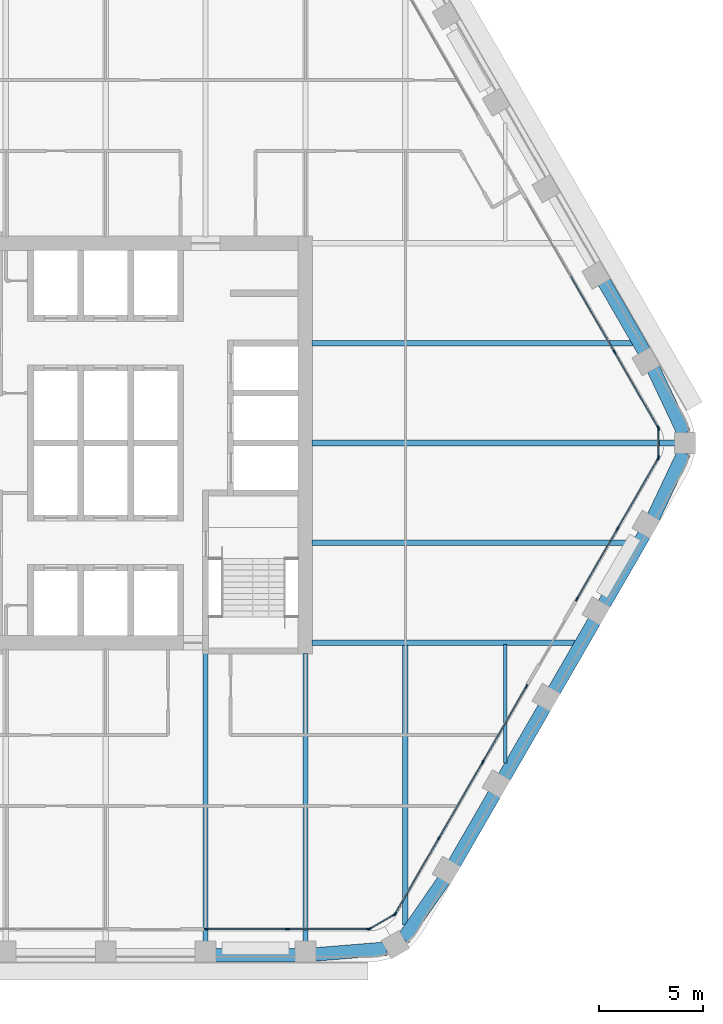
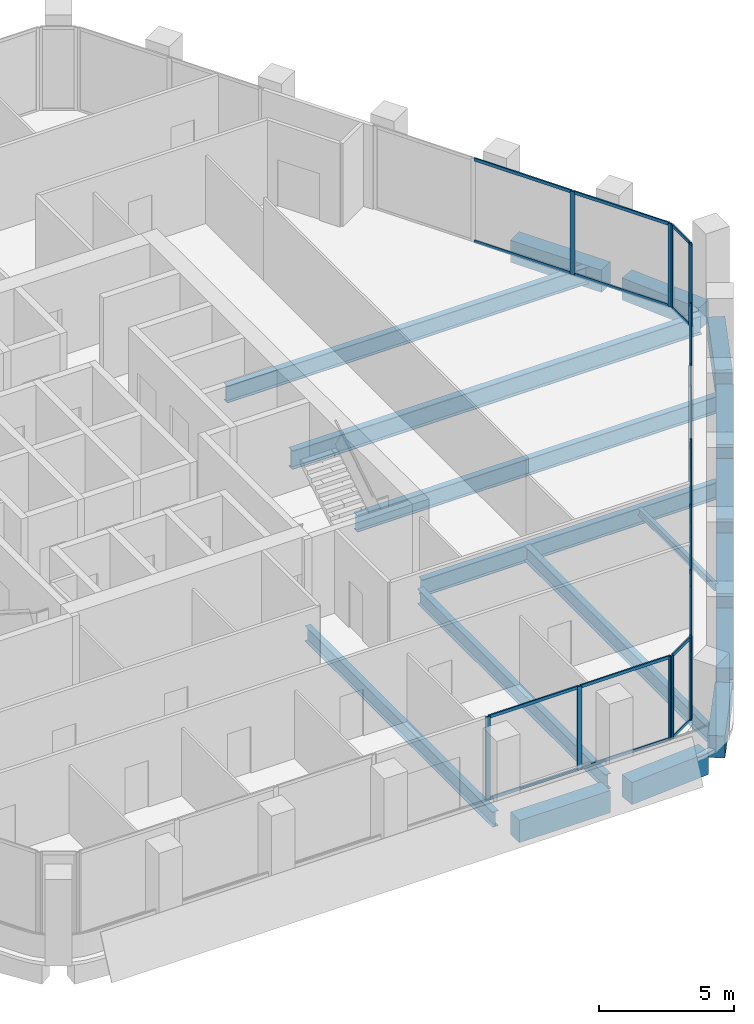
# One storey, part 4 of 15: 38 members, 18 beams, 6 elements without a shape of their own.
"""IFC4 building model written with IfcOpenShell, lengths in metres."""

import ifcopenshell
import ifcopenshell.guid

model = None  # the IFC model being written
_history = None  # IfcOwnerHistory: only IFC2X3 demands one
_inside = {}  # id of a spatial element -> (the spatial element, [elements in it])
_under = {}  # id of a project, library or spatial element -> (it, [spatial elements below it])
_declared = {}  # id of a project -> (the project, [libraries it declares])
_typed = {}  # id of a type object -> (the type object, [elements of that type])
_made_of = {}  # id of a material, layer set ... -> (it, [elements and type objects made of it])


def new_model(schema):
    """Start an empty IFC model of exactly this schema.

    Asked for "IFC4X3", IfcOpenShell would pick the latest addendum, in which some entities
    have other attributes; the version numbers below select the first issue.
    IFC2X3 requires an IfcOwnerHistory on every rooted entity: one is made here for all.
    """
    global model, _history
    if schema == "IFC4X3":
        model = ifcopenshell.file(schema_version=(4, 3, 0, 0))
    else:
        model = ifcopenshell.file(schema=schema)
    _inside.clear()
    _under.clear()
    _declared.clear()
    _typed.clear()
    _made_of.clear()
    _history = None
    if model.schema == "IFC2X3":
        org = make("IfcOrganization", Name="unknown")
        user = make(
            "IfcPersonAndOrganization",
            ThePerson=make("IfcPerson", FamilyName="unknown"),
            TheOrganization=org,
        )
        app = make(
            "IfcApplication",
            ApplicationDeveloper=org,
            Version="unknown",
            ApplicationFullName="unknown",
            ApplicationIdentifier="unknown",
        )
        _history = make(
            "IfcOwnerHistory",
            OwningUser=user,
            OwningApplication=app,
            ChangeAction="ADDED",
            CreationDate=0,
        )
    return model


def make(cls, **values):
    """One entity of the class cls with the attributes given. An attribute that is None is left unset."""
    return model.create_entity(
        cls, **{name: value for name, value in values.items() if value is not None}
    )


def rooted(cls, **values):
    """An entity with a GlobalId (a new one), such as an element, a storey or a relation."""
    return make(cls, GlobalId=ifcopenshell.guid.new(), OwnerHistory=_history, **values)


def si_unit(unit_type, name, prefix=None):
    """IfcSIUnit, for example si_unit("LENGTHUNIT", "METRE", prefix="MILLI")."""
    return make("IfcSIUnit", UnitType=unit_type, Prefix=prefix, Name=name)


def assignment(units):
    """IfcUnitAssignment: the units of a project."""
    return None if units is None else make("IfcUnitAssignment", Units=units)


def point(xyz):
    """IfcCartesianPoint."""
    return None if xyz is None else make("IfcCartesianPoint", Coordinates=xyz)


def direction(xyz):
    """IfcDirection."""
    return None if xyz is None else make("IfcDirection", DirectionRatios=xyz)


def frame(location, z_axis=None, x_axis=None):
    """IfcAxis2Placement3D, a coordinate frame: its origin and axes. An axis left out is left unset."""
    return make(
        "IfcAxis2Placement3D",
        Location=point(location),
        Axis=direction(z_axis),
        RefDirection=direction(x_axis),
    )


def frame_2d(location, x_axis=None):
    """IfcAxis2Placement2D, a coordinate frame in the plane: its origin and x axis."""
    return make(
        "IfcAxis2Placement2D", Location=point(location), RefDirection=direction(x_axis)
    )


def origin():
    """The frame at (0, 0, 0) with its axes left unset."""
    return frame((0.0, 0.0, 0.0))


def origin_2d():
    """The frame at (0, 0) in the plane with its x axis left unset."""
    return frame_2d((0.0, 0.0))


def place(relative_to, where):
    """IfcLocalPlacement: puts the frame where relative to a parent placement (None: the world)."""
    return make(
        "IfcLocalPlacement", PlacementRelTo=relative_to, RelativePlacement=where
    )


def context(
    kind, dimensions, precision=None, world=None, true_north=None, identifier=None
):
    """IfcGeometricRepresentationContext, for example the 3D "Model" context."""
    return make(
        "IfcGeometricRepresentationContext",
        ContextIdentifier=identifier,
        ContextType=kind,
        CoordinateSpaceDimension=dimensions,
        Precision=precision,
        WorldCoordinateSystem=world,
        TrueNorth=true_north,
    )


def subcontext(parent, identifier, kind, view, scale=None):
    """IfcGeometricRepresentationSubContext, for example "Body" below "Model"."""
    return make(
        "IfcGeometricRepresentationSubContext",
        ContextIdentifier=identifier,
        ContextType=kind,
        ParentContext=parent,
        TargetScale=scale,
        TargetView=view,
    )


def project(units=None, contexts=None):
    """IfcProject with its units and contexts."""
    return rooted(
        "IfcProject",
        Name="project",
        RepresentationContexts=contexts,
        UnitsInContext=assignment(units),
    )


def spatial(cls, under=None, at=None, **own):
    """A site, building, storey or space (cls), placed at a placement, below another one or the project."""
    s = rooted(cls, ObjectPlacement=at, **own)
    if under is not None:
        _under.setdefault(under.id(), (under, []))[1].append(s)
    return s


def profile(cls, at=None, kind="AREA", **sizes):
    """A parametric profile (cls). Its sizes go by their IFC names, for example OverallWidth=200.0."""
    return make(cls, ProfileType=kind, Position=at, **sizes)


def rectangle(**sizes):
    """IfcRectangleProfileDef."""
    return profile("IfcRectangleProfileDef", **sizes)


def i_section(**sizes):
    """IfcIShapeProfileDef."""
    return profile("IfcIShapeProfileDef", **sizes)


def extrude(swept, where, along, depth):
    """IfcExtrudedAreaSolid: the profile swept, set in the frame where, extruded along a direction by depth."""
    return make(
        "IfcExtrudedAreaSolid",
        SweptArea=swept,
        Position=where,
        ExtrudedDirection=direction(along),
        Depth=depth,
    )


def shape(context_of_items, identifier, shape_type, items):
    """IfcShapeRepresentation: the items that make up one representation, for example the "Body"."""
    return make(
        "IfcShapeRepresentation",
        ContextOfItems=context_of_items,
        RepresentationIdentifier=identifier,
        RepresentationType=shape_type,
        Items=items,
    )


def material(Name=None, Category=None):
    """IfcMaterial."""
    return make("IfcMaterial", Name=Name, Category=Category)


def material_profile(
    of_material, cross_section, Name=None, Category=None, Priority=None
):
    """IfcMaterialProfile: a cross section and its material."""
    return make(
        "IfcMaterialProfile",
        Name=Name,
        Material=of_material,
        Profile=cross_section,
        Priority=Priority,
        Category=Category,
    )


def profile_set(profiles, Name=None, composite=None):
    """IfcMaterialProfileSet."""
    return make(
        "IfcMaterialProfileSet",
        Name=Name,
        MaterialProfiles=profiles,
        CompositeProfile=composite,
    )


def made_of(thing, what):
    """Note that an element or type object is made of a material, layer set ...; save() writes the relation."""
    if what is not None:
        _made_of.setdefault(what.id(), (what, []))[1].append(thing)
    return thing


def type_object(cls, material=None, **own):
    """A type object (cls), such as IfcWallType, which elements share."""
    return made_of(rooted(cls, **own), material)


def element(
    cls,
    number,
    at=None,
    inside=None,
    cuts=None,
    type_object=None,
    material=None,
    context=None,
    identifier="Body",
    shape_type=None,
    held_by="IfcProductDefinitionShape",
    body=None,
    shapes=None,
    **own,
):
    """One element of the class cls, such as IfcWall. Its Tag is "e" and its number.

    at: its placement. inside: the storey or other place that contains it. cuts: it is an
    opening in that element (IfcRelVoidsElement). A single representation is given by context,
    identifier, shape_type and body (its items); several are given by shapes. held_by: the class
    of the entity that holds the representations. save() writes the other relations.
    """
    e = rooted(cls, Tag="e%d" % number, ObjectPlacement=at, **own)
    if body is not None:
        shapes = [shape(context, identifier, shape_type, body)]
    if shapes is not None:
        e.Representation = make(held_by, Representations=shapes)
    if inside is not None:
        _inside.setdefault(inside.id(), (inside, []))[1].append(e)
    if cuts is not None:
        rooted(
            "IfcRelVoidsElement", RelatingBuildingElement=cuts, RelatedOpeningElement=e
        )
    if type_object is not None:
        _typed.setdefault(type_object.id(), (type_object, []))[1].append(e)
    return made_of(e, material)


def aggregate(whole, parts):
    """IfcRelAggregates: a whole, such as a stair, and the parts it consists of."""
    return rooted("IfcRelAggregates", RelatingObject=whole, RelatedObjects=parts)


def save(model, path):
    """Write the relations noted so far, then the file.

    IfcRelAggregates (storeys below a building ...), IfcRelContainedInSpatialStructure (elements
    in a storey), IfcRelDefinesByType, IfcRelAssociatesMaterial and IfcRelDeclares: one each for
    every whole, place, type object, material and project.
    """
    for whole, parts in _under.values():
        aggregate(whole, parts)
    for where, things in _inside.values():
        rooted(
            "IfcRelContainedInSpatialStructure",
            RelatedElements=things,
            RelatingStructure=where,
        )
    for kind, things in _typed.values():
        rooted("IfcRelDefinesByType", RelatedObjects=things, RelatingType=kind)
    for what, things in _made_of.values():
        rooted("IfcRelAssociatesMaterial", RelatedObjects=things, RelatingMaterial=what)
    for by, libraries in _declared.values():
        rooted("IfcRelDeclares", RelatingContext=by, RelatedDefinitions=libraries)
    model.write(path)


model = new_model("IFC4")

# Units and contexts
model_context = context("Model", 3, precision=1e-05, world=origin(), true_north=direction((0.0, 1.0)))
body_context = subcontext(model_context, "Body", "Model", "MODEL_VIEW")
ifc_project = project(units=[si_unit("LENGTHUNIT", "METRE"), si_unit("AREAUNIT", "SQUARE_METRE"), si_unit("VOLUMEUNIT", "CUBIC_METRE"), si_unit("PLANEANGLEUNIT", "RADIAN"), si_unit("MASSUNIT", "GRAM", prefix="KILO")], contexts=[model_context])

# Site, building, storey
site_placement = place(None, origin())
site = spatial("IfcSite", under=ifc_project, at=site_placement, CompositionType="ELEMENT")
building_placement = place(site_placement, origin())
building = spatial("IfcBuilding", under=site, at=building_placement, Name="Kolab Exchange Tower", CompositionType="ELEMENT")
storey_placement = place(building_placement, frame((0.0, 0.0, 142.699951171875)))
storey = spatial("IfcBuildingStorey", under=building, at=storey_placement, Name="L28", CompositionType="ELEMENT", Elevation=142.699951171875)

# Beams
ifc_material_1 = material(Name="Steel S355", Category="steel")
ifc_material_profile_1 = material_profile(ifc_material_1, i_section(OverallWidth=0.1650390625, OverallDepth=0.31005859375, WebThickness=0.005859375, FlangeThickness=0.009765625, at=origin_2d()), Name="W310X39")
ifc_profile_set_1 = profile_set([ifc_material_profile_1], Name="Steel S355")
beam_type_1 = type_object("IfcBeamType", Name="FLOOR BEAM W310X39", PredefinedType="BEAM", material=ifc_profile_set_1)
beam_1_placement = place(storey_placement, frame((19.199951171875, -15.36767578125, -0.304931640625), z_axis=(0.0, 1.0, 0.0), x_axis=(-1.0, 0.0, 0.0)))
element("IfcBeam", 1, at=beam_1_placement, inside=storey, type_object=beam_type_1, Name="beam/L28/fr/022", PredefinedType="BEAM", context=body_context, shape_type="SweptSolid", body=[
    extrude(i_section(OverallWidth=0.1650390625, OverallDepth=0.31005859375, WebThickness=0.005859375, FlangeThickness=0.009765625, at=origin_2d()), origin(), (0.0, 0.0, 1.0), 5.674072265625),
])
ifc_material_profile_2 = material_profile(ifc_material_1, i_section(OverallWidth=0.25390625, OverallDepth=0.68408203125, WebThickness=0.012451171875, FlangeThickness=0.018798828125, at=origin_2d()), Name="W690X140")
ifc_profile_set_2 = profile_set([ifc_material_profile_2], Name="Steel S355")
beam_type_2 = type_object("IfcBeamType", Name="FLOOR BEAM W690X140", PredefinedType="BEAM", material=ifc_profile_set_2)
for number, where, z_axis, x_axis, name in (
    (2, (4.800048828125, -23.9814453125, -0.491943359375), (0.0, 1.0, 0.0), (-1.0, 0.0, 0.0), "beam/L28/fr/013"),
    (3, (9.60009765625, -23.9814453125, -0.491943359375), (0.0, 1.0, 0.0), (-1.0, 0.0, 0.0), "beam/L28/fr/015"),
):
    element("IfcBeam", number, at=place(storey_placement, frame(where, z_axis=z_axis, x_axis=x_axis)), inside=storey, type_object=beam_type_2, Name=name, PredefinedType="BEAM", context=body_context, shape_type="SweptSolid", body=[
        extrude(i_section(OverallWidth=0.25390625, OverallDepth=0.68408203125, WebThickness=0.012451171875, FlangeThickness=0.018798828125, at=origin_2d()), origin(), (0.0, 0.0, 1.0), 13.871337890625),
    ])
beam_2_placement = place(storey_placement, frame((14.39990234375, -23.15576171875, -0.491943359375), z_axis=(0.0, 1.0, 0.0), x_axis=(-1.0, 0.0, 0.0)))
element("IfcBeam", 4, at=beam_2_placement, inside=storey, type_object=beam_type_2, Name="beam/L28/fr/020", PredefinedType="BEAM", context=body_context, shape_type="SweptSolid", body=[
    extrude(i_section(OverallWidth=0.25390625, OverallDepth=0.68408203125, WebThickness=0.012451171875, FlangeThickness=0.018798828125, at=origin_2d()), origin(), (0.0, 0.0, 1.0), 13.462158203125),
])
ifc_material_profile_3 = material_profile(ifc_material_1, i_section(OverallWidth=0.26708984375, OverallDepth=0.761962890625, WebThickness=0.014404296875, FlangeThickness=0.021484375, at=origin_2d()), Name="W760X173")
ifc_profile_set_3 = profile_set([ifc_material_profile_3], Name="Steel S355")
beam_type_3 = type_object("IfcBeamType", Name="FLOOR BEAM W760X173", PredefinedType="BEAM", material=ifc_profile_set_3)
for number, where, z_axis, x_axis, name in (
    (5, (9.909912109375, -4.800048828125, -0.531005859375), (1.0, 0.0, 0.0), (0.0, 1.0, 0.0), "beam/L28/fr/017"),
    (6, (9.909912109375, 4.800048828125, -0.531005859375), (1.0, 0.0, 0.0), (0.0, 1.0, 0.0), "beam/L28/fr/019"),
):
    element("IfcBeam", number, at=place(storey_placement, frame(where, z_axis=z_axis, x_axis=x_axis)), inside=storey, type_object=beam_type_3, Name=name, PredefinedType="BEAM", context=body_context, shape_type="SweptSolid", body=[
        extrude(i_section(OverallWidth=0.26708984375, OverallDepth=0.761962890625, WebThickness=0.014404296875, FlangeThickness=0.021484375, at=origin_2d()), origin(), (0.0, 0.0, 1.0), 15.408203125),
    ])
ifc_material_profile_4 = material_profile(ifc_material_1, i_section(OverallWidth=0.2919921875, OverallDepth=0.840087890625, WebThickness=0.0146484375, FlangeThickness=0.021728515625, at=origin_2d()), Name="W840X193")
ifc_profile_set_4 = profile_set([ifc_material_profile_4], Name="Steel S355")
beam_type_4 = type_object("IfcBeamType", Name="FLOOR BEAM W840X193", PredefinedType="BEAM", material=ifc_profile_set_4)
beam_3_placement = place(storey_placement, frame((9.909912109375, 0.0, -0.570068359375), z_axis=(1.0, 0.0, 0.0), x_axis=(0.0, 1.0, 0.0)))
element("IfcBeam", 7, at=beam_3_placement, inside=storey, type_object=beam_type_4, Name="beam/L28/fr/018", PredefinedType="BEAM", context=body_context, shape_type="SweptSolid", body=[
    extrude(i_section(OverallWidth=0.2919921875, OverallDepth=0.840087890625, WebThickness=0.0146484375, FlangeThickness=0.021728515625, at=origin_2d()), origin(), (0.0, 0.0, 1.0), 17.466064453125),
])
ifc_material_profile_5 = material_profile(ifc_material_1, i_section(OverallWidth=0.26708984375, OverallDepth=0.761962890625, WebThickness=0.014404296875, FlangeThickness=0.021484375, at=origin_2d()), Name="W760X173")
ifc_profile_set_5 = profile_set([ifc_material_profile_5], Name="Steel S355")
beam_type_5 = type_object("IfcBeamType", Name="FLOOR GIRDER W760X173", PredefinedType="BEAM", material=ifc_profile_set_5)
beam_4_placement = place(storey_placement, frame((9.909912109375, -9.60009765625, -0.531005859375), z_axis=(1.0, 0.0, 0.0), x_axis=(0.0, 1.0, 0.0)))
element("IfcBeam", 8, at=beam_4_placement, inside=storey, type_object=beam_type_5, Name="beam/L28/gd/002", PredefinedType="BEAM", context=body_context, shape_type="SweptSolid", body=[
    extrude(i_section(OverallWidth=0.26708984375, OverallDepth=0.761962890625, WebThickness=0.014404296875, FlangeThickness=0.021484375, at=origin_2d()), origin(), (0.0, 0.0, 1.0), 12.636962890625),
])
ifc_material_2 = material(Name="Concrete C60/75", Category="concrete")
ifc_material_profile_6 = material_profile(ifc_material_2, rectangle(XDim=0.64990234375, YDim=1.0, at=origin_2d()), Name="RC650X1000")
ifc_profile_set_6 = profile_set([ifc_material_profile_6], Name="Concrete C60/75")
beam_type_6 = type_object("IfcBeamType", Name="SPANDREL BEAM 650X1000 C60/75", PredefinedType="BEAM", material=ifc_profile_set_6)
beam_5_placement = place(storey_placement, frame((23.948486328125, 7.7529296875, -0.64990234375), z_axis=(0.499996613652, -0.866027358884, 0.0), x_axis=(0.866027358884, 0.499996613652, 0.0)))
element("IfcBeam", 9, at=beam_5_placement, inside=storey, type_object=beam_type_6, Name="beam/L28/sp/F2-05", PredefinedType="BEAM", context=body_context, shape_type="SweptSolid", body=[
    extrude(rectangle(XDim=0.64990234375, YDim=1.0, at=origin_2d()), origin(), (0.0, 0.0, 1.0), 3.8798828125),
])
for number, where, z_axis, x_axis, name in (
    (10, (26.316162109375, 3.5771484375, -0.64990234375), (0.428177731975, -0.903694544545, 0.0), (0.903694544545, 0.428177731975, 0.0), "beam/L28/sp/F2-06"),
    (11, (27.791259765625, -0.4638671875, -0.64990234375), (-0.428177731975, -0.903694544545, 0.0), (0.903694544545, -0.428177731975, 0.0), "beam/L28/sp/F3-01"),
):
    element("IfcBeam", number, at=place(storey_placement, frame(where, z_axis=z_axis, x_axis=x_axis)), inside=storey, type_object=beam_type_6, Name=name, PredefinedType="BEAM", context=body_context, shape_type="SweptSolid", body=[
        extrude(rectangle(XDim=0.64990234375, YDim=1.0, at=origin_2d()), origin(), (0.0, 0.0, 1.0), 3.445068359375),
    ])
for number, where, z_axis, x_axis, name in (
    (12, (25.888427734375, -4.392822265625, -0.64990234375), (-0.499996613652, -0.866027358884, 0.0), (0.866027358884, -0.499996613652, 0.0), "beam/L28/sp/F3-02"),
    (13, (23.488525390625, -8.5498046875, -0.64990234375), (-0.499996613652, -0.866027358884, 0.0), (0.866027358884, -0.499996613652, 0.0), "beam/L28/sp/F3-03"),
):
    element("IfcBeam", number, at=place(storey_placement, frame(where, z_axis=z_axis, x_axis=x_axis)), inside=storey, type_object=beam_type_6, Name=name, PredefinedType="BEAM", context=body_context, shape_type="SweptSolid", body=[
        extrude(rectangle(XDim=0.64990234375, YDim=1.0, at=origin_2d()), origin(), (0.0, 0.0, 1.0), 3.8798828125),
    ])
beam_6_placement = place(storey_placement, frame((21.088623046875, -12.70654296875, -0.64990234375), z_axis=(-0.50001655835, -0.866015843605, 0.0), x_axis=(0.866015843605, -0.50001655835, 0.0)))
element("IfcBeam", 14, at=beam_6_placement, inside=storey, type_object=beam_type_6, Name="beam/L28/sp/F3-04", PredefinedType="BEAM", context=body_context, shape_type="SweptSolid", body=[
    extrude(rectangle(XDim=0.64990234375, YDim=1.0, at=origin_2d()), origin(), (0.0, 0.0, 1.0), 3.880126953125),
])
beam_7_placement = place(storey_placement, frame((18.6884765625, -16.863525390625, -0.64990234375), z_axis=(-0.499996613652, -0.866027358884, 0.0), x_axis=(0.866027358884, -0.499996613652, 0.0)))
element("IfcBeam", 15, at=beam_7_placement, inside=storey, type_object=beam_type_6, Name="beam/L28/sp/F3-05", PredefinedType="BEAM", context=body_context, shape_type="SweptSolid", body=[
    extrude(rectangle(XDim=0.64990234375, YDim=1.0, at=origin_2d()), origin(), (0.0, 0.0, 1.0), 3.8798828125),
])
for number, where, z_axis, x_axis, name in (
    (16, (16.256103515625, -21.001953125, -0.64990234375), (-0.568572281073, -0.822633309073, 0.0), (0.822633309073, -0.568572281073, 0.0), "beam/L28/sp/F3-06"),
    (17, (13.493896484375, -24.2998046875, -0.64990234375), (-0.996708497182, -0.081068931445, 0.0), (0.081068931445, -0.996708497182, 0.0), "beam/L28/sp/F4-01"),
):
    element("IfcBeam", number, at=place(storey_placement, frame(where, z_axis=z_axis, x_axis=x_axis)), inside=storey, type_object=beam_type_6, Name=name, PredefinedType="BEAM", context=body_context, shape_type="SweptSolid", body=[
        extrude(rectangle(XDim=0.64990234375, YDim=1.0, at=origin_2d()), origin(), (0.0, 0.0, 1.0), 3.445068359375),
    ])
beam_8_placement = place(storey_placement, frame((9.139892578125, -24.616455078125, -0.64990234375), z_axis=(-1.0, 0.0, 0.0), x_axis=(0.0, -1.0, 0.0)))
element("IfcBeam", 18, at=beam_8_placement, inside=storey, type_object=beam_type_6, Name="beam/L28/sp/F4-02", PredefinedType="BEAM", context=body_context, shape_type="SweptSolid", body=[
    extrude(rectangle(XDim=0.64990234375, YDim=1.0, at=origin_2d()), origin(), (0.0, 0.0, 1.0), 3.8798828125),
])

# Curtain wall, members
ifc_material_3 = material(Name="Aluminium EN AW-6063 T6", Category="aluminium")
curtain_wall_type = type_object("IfcCurtainWallType", Name="UNITISED UPPER MID ZONE CURTAIN WALL", PredefinedType="NOTDEFINED", material=ifc_material_3)
curtain_wall_1_placement = place(storey_placement, origin())
curtain_wall_1 = element("IfcCurtainWall", 19, at=curtain_wall_1_placement, inside=storey, type_object=curtain_wall_type, Name="cw/L28/F2-2", PredefinedType="NOTDEFINED")
ifc_material_profile_7 = material_profile(ifc_material_3, rectangle(XDim=0.06005859375, YDim=0.199951171875, at=origin_2d()), Name="RECT 60X200")
ifc_profile_set_7 = profile_set([ifc_material_profile_7], Name="Aluminium EN AW-6063 T6")
member_type_1 = type_object("IfcMemberType", Name="UNITISED UPPER MID ZONE MULLION 60 X 200", PredefinedType="MULLION", material=ifc_profile_set_7)
member_1_placement = place(storey_placement, frame((24.454345703125, 4.366943359375, 0.0), z_axis=(0.0, 0.0, 1.0), x_axis=(0.866025427826, 0.499999958358, 0.0)))
member_1 = element("IfcMember", 20, at=member_1_placement, type_object=member_type_1, Name="CW3 mullion 3", PredefinedType="MULLION", context=body_context, shape_type="SweptSolid", body=[
    extrude(rectangle(XDim=0.06005859375, YDim=0.199951171875, at=origin_2d()), origin(), (0.0, 0.0, 1.0), 3.75),
])
member_2_placement = place(storey_placement, frame((26.550537109375, 0.736083984375, 0.0), z_axis=(0.0, 0.0, 1.0), x_axis=(0.866025427826, 0.499999958358, 0.0)))
member_2 = element("IfcMember", 21, at=member_2_placement, type_object=member_type_1, Name="CW3 mullion 4", PredefinedType="MULLION", context=body_context, shape_type="SweptSolid", body=[
    extrude(rectangle(XDim=0.06005859375, YDim=0.199951171875, at=origin_2d()), origin(), (0.0, 0.0, 1.0), 3.75),
])

curtain_wall_2_placement = place(storey_placement, origin())
curtain_wall_2 = element("IfcCurtainWall", 22, at=curtain_wall_2_placement, inside=storey, type_object=curtain_wall_type, Name="cw/L28/F3-1", PredefinedType="NOTDEFINED")
member_3_placement = place(storey_placement, frame((26.550537109375, -0.736083984375, 0.0), z_axis=(0.0, 0.0, 1.0), x_axis=(0.866025440524, -0.499999936366, 0.0)))
member_3 = element("IfcMember", 23, at=member_3_placement, type_object=member_type_1, Name="CW3 mullion 1", PredefinedType="MULLION", context=body_context, shape_type="SweptSolid", body=[
    extrude(rectangle(XDim=0.06005859375, YDim=0.199951171875, at=origin_2d()), origin(), (0.0, 0.0, 1.0), 3.75),
])
member_4_placement = place(storey_placement, frame((24.5986328125, -4.116943359375, 0.0), z_axis=(0.0, 0.0, 1.0), x_axis=(0.866025440524, -0.499999936366, 0.0)))
member_4 = element("IfcMember", 24, at=member_4_placement, type_object=member_type_1, Name="CW3 mullion 2", PredefinedType="MULLION", context=body_context, shape_type="SweptSolid", body=[
    extrude(rectangle(XDim=0.06005859375, YDim=0.199951171875, at=origin_2d()), origin(), (0.0, 0.0, 1.0), 3.75),
])
member_5_placement = place(storey_placement, frame((22.646728515625, -7.497802734375, 0.0), z_axis=(0.0, 0.0, 1.0), x_axis=(0.866025440524, -0.499999936366, 0.0)))
member_5 = element("IfcMember", 25, at=member_5_placement, type_object=member_type_1, Name="CW3 mullion 3", PredefinedType="MULLION", context=body_context, shape_type="SweptSolid", body=[
    extrude(rectangle(XDim=0.06005859375, YDim=0.199951171875, at=origin_2d()), origin(), (0.0, 0.0, 1.0), 3.75),
])

curtain_wall_3_placement = place(storey_placement, origin())
curtain_wall_3 = element("IfcCurtainWall", 26, at=curtain_wall_3_placement, inside=storey, type_object=curtain_wall_type, Name="cw/L28/F3-2", PredefinedType="NOTDEFINED")
member_6_placement = place(storey_placement, frame((20.216796875, -11.706787109375, 0.0), z_axis=(0.0, 0.0, 1.0), x_axis=(0.866025393644, -0.500000017564, 0.0)))
member_6 = element("IfcMember", 27, at=member_6_placement, type_object=member_type_1, Name="CW3 mullion 1", PredefinedType="MULLION", context=body_context, shape_type="SweptSolid", body=[
    extrude(rectangle(XDim=0.06005859375, YDim=0.199951171875, at=origin_2d()), origin(), (0.0, 0.0, 1.0), 3.75),
])
member_7_placement = place(storey_placement, frame((18.120361328125, -15.337646484375, 0.0), z_axis=(0.0, 0.0, 1.0), x_axis=(0.866025393644, -0.500000017564, 0.0)))
member_7 = element("IfcMember", 28, at=member_7_placement, type_object=member_type_1, Name="CW3 mullion 2", PredefinedType="MULLION", context=body_context, shape_type="SweptSolid", body=[
    extrude(rectangle(XDim=0.06005859375, YDim=0.199951171875, at=origin_2d()), origin(), (0.0, 0.0, 1.0), 3.75),
])
member_8_placement = place(storey_placement, frame((16.009033203125, -18.99462890625, 0.0), z_axis=(0.0, 0.0, 1.0), x_axis=(0.866025393644, -0.500000017564, 0.0)))
member_8 = element("IfcMember", 29, at=member_8_placement, type_object=member_type_1, Name="CW3 mullion 3", PredefinedType="MULLION", context=body_context, shape_type="SweptSolid", body=[
    extrude(rectangle(XDim=0.06005859375, YDim=0.199951171875, at=origin_2d()), origin(), (0.0, 0.0, 1.0), 3.75),
])
member_9_placement = place(storey_placement, frame((13.91259765625, -22.62548828125, 0.0), z_axis=(0.0, 0.0, 1.0), x_axis=(0.866025393644, -0.500000017564, 0.0)))
member_9 = element("IfcMember", 30, at=member_9_placement, type_object=member_type_1, Name="CW3 mullion 4", PredefinedType="MULLION", context=body_context, shape_type="SweptSolid", body=[
    extrude(rectangle(XDim=0.06005859375, YDim=0.199951171875, at=origin_2d()), origin(), (0.0, 0.0, 1.0), 3.75),
])

curtain_wall_4_placement = place(storey_placement, origin())
curtain_wall_4 = element("IfcCurtainWall", 31, at=curtain_wall_4_placement, inside=storey, type_object=curtain_wall_type, Name="cw/L28/F4-1", PredefinedType="NOTDEFINED")
member_10_placement = place(storey_placement, frame((12.637939453125, -23.361572265625, 0.0), z_axis=(0.0, 0.0, 1.0), x_axis=(0.0, -1.0, 0.0)))
member_10 = element("IfcMember", 32, at=member_10_placement, type_object=member_type_1, Name="CW3 mullion 1", PredefinedType="MULLION", context=body_context, shape_type="SweptSolid", body=[
    extrude(rectangle(XDim=0.06005859375, YDim=0.199951171875, at=origin_2d()), origin(), (0.0, 0.0, 1.0), 3.75),
])
member_11_placement = place(storey_placement, frame((8.73388671875, -23.361572265625, 0.0), z_axis=(0.0, 0.0, 1.0), x_axis=(0.0, -1.0, 0.0)))
member_11 = element("IfcMember", 33, at=member_11_placement, type_object=member_type_1, Name="CW3 mullion 2", PredefinedType="MULLION", context=body_context, shape_type="SweptSolid", body=[
    extrude(rectangle(XDim=0.06005859375, YDim=0.199951171875, at=origin_2d()), origin(), (0.0, 0.0, 1.0), 3.75),
])
member_12_placement = place(storey_placement, frame((4.830078125, -23.361572265625, 0.0), z_axis=(0.0, 0.0, 1.0), x_axis=(0.0, -1.0, 0.0)))
member_12 = element("IfcMember", 34, at=member_12_placement, type_object=member_type_1, Name="CW3 mullion 3", PredefinedType="MULLION", context=body_context, shape_type="SweptSolid", body=[
    extrude(rectangle(XDim=0.06005859375, YDim=0.199951171875, at=origin_2d()), origin(), (0.0, 0.0, 1.0), 3.75),
])

curtain_wall_5_placement = place(storey_placement, origin())
curtain_wall_5 = element("IfcCurtainWall", 35, at=curtain_wall_5_placement, inside=storey, type_object=curtain_wall_type, Name="cw/L28/F2F3-corner", PredefinedType="NOTDEFINED")
member_13_placement = place(storey_placement, frame((26.565673828125, 0.679931640625, 0.0), z_axis=(0.0, 0.0, 1.0), x_axis=(1.0, 0.0, 0.0)))
member_13 = element("IfcMember", 36, at=member_13_placement, type_object=member_type_1, Name="CW3 mullion 1", PredefinedType="MULLION", context=body_context, shape_type="SweptSolid", body=[
    extrude(rectangle(XDim=0.06005859375, YDim=0.199951171875, at=origin_2d()), origin(), (0.0, 0.0, 1.0), 3.75),
])
member_14_placement = place(storey_placement, frame((26.565673828125, -0.679931640625, 0.0), z_axis=(0.0, 0.0, 1.0), x_axis=(1.0, 0.0, 0.0)))
member_14 = element("IfcMember", 37, at=member_14_placement, type_object=member_type_1, Name="CW3 mullion 2", PredefinedType="MULLION", context=body_context, shape_type="SweptSolid", body=[
    extrude(rectangle(XDim=0.06005859375, YDim=0.199951171875, at=origin_2d()), origin(), (0.0, 0.0, 1.0), 3.75),
])

curtain_wall_6_placement = place(storey_placement, origin())
curtain_wall_6 = element("IfcCurtainWall", 38, at=curtain_wall_6_placement, inside=storey, type_object=curtain_wall_type, Name="cw/L28/F3F4-corner", PredefinedType="NOTDEFINED")
member_15_placement = place(storey_placement, frame((13.871826171875, -22.66650390625, 0.0), z_axis=(0.0, 0.0, 1.0), x_axis=(0.50000002237, -0.866025390869, 0.0)))
member_15 = element("IfcMember", 39, at=member_15_placement, type_object=member_type_1, Name="CW3 mullion 1", PredefinedType="MULLION", context=body_context, shape_type="SweptSolid", body=[
    extrude(rectangle(XDim=0.06005859375, YDim=0.199951171875, at=origin_2d()), origin(), (0.0, 0.0, 1.0), 3.75),
])
member_16_placement = place(storey_placement, frame((12.69384765625, -23.346435546875, 0.0), z_axis=(0.0, 0.0, 1.0), x_axis=(0.50000002237, -0.866025390869, 0.0)))
member_16 = element("IfcMember", 40, at=member_16_placement, type_object=member_type_1, Name="CW3 mullion 2", PredefinedType="MULLION", context=body_context, shape_type="SweptSolid", body=[
    extrude(rectangle(XDim=0.06005859375, YDim=0.199951171875, at=origin_2d()), origin(), (0.0, 0.0, 1.0), 3.75),
])

# Member
ifc_material_profile_8 = material_profile(ifc_material_3, rectangle(XDim=0.06005859375, YDim=0.139892578125, at=origin_2d()), Name="RECT 60X140")
ifc_profile_set_8 = profile_set([ifc_material_profile_8], Name="Aluminium EN AW-6063 T6")
member_type_2 = type_object("IfcMemberType", Name="UNITISED UPPER MID ZONE TRANSOM 60 X 140", PredefinedType="USERDEFINED", material=ifc_profile_set_8)
member_17_placement = place(storey_placement, frame((22.35791015625, 7.997802734375, 0.030029296875), z_axis=(0.49999322259, -0.866029316688, 0.0), x_axis=(0.866029316688, 0.49999322259, 0.0)))
member_17 = element("IfcMember", 41, at=member_17_placement, type_object=member_type_2, Name="CW3 transom 2.1", ObjectType="TRANSOM", PredefinedType="USERDEFINED", context=body_context, shape_type="SweptSolid", body=[
    extrude(rectangle(XDim=0.06005859375, YDim=0.139892578125, at=origin_2d()), origin(), (0.0, 0.0, 1.0), 4.16259765625),
])

member_18_placement = place(storey_placement, frame((22.35791015625, 7.997802734375, 3.719970703125), z_axis=(0.49999322259, -0.866029316688, 0.0), x_axis=(0.866029316688, 0.49999322259, 0.0)))
member_18 = element("IfcMember", 42, at=member_18_placement, type_object=member_type_2, Name="CW3 transom 2.2", ObjectType="TRANSOM", PredefinedType="USERDEFINED", context=body_context, shape_type="SweptSolid", body=[
    extrude(rectangle(XDim=0.06005859375, YDim=0.139892578125, at=origin_2d()), origin(), (0.0, 0.0, 1.0), 4.16259765625),
])

member_19_placement = place(storey_placement, frame((24.46923828125, 4.3408203125, 0.030029296875), z_axis=(0.500027577057, -0.866009481578, 0.0), x_axis=(0.866009481578, 0.500027577057, 0.0)))
member_19 = element("IfcMember", 43, at=member_19_placement, type_object=member_type_2, Name="CW3 transom 3.1", ObjectType="TRANSOM", PredefinedType="USERDEFINED", context=body_context, shape_type="SweptSolid", body=[
    extrude(rectangle(XDim=0.06005859375, YDim=0.139892578125, at=origin_2d()), origin(), (0.0, 0.0, 1.0), 4.132568359375),
])

member_20_placement = place(storey_placement, frame((24.46923828125, 4.3408203125, 3.719970703125), z_axis=(0.500027577057, -0.866009481578, 0.0), x_axis=(0.866009481578, 0.500027577057, 0.0)))
member_20 = element("IfcMember", 44, at=member_20_placement, type_object=member_type_2, Name="CW3 transom 3.2", ObjectType="TRANSOM", PredefinedType="USERDEFINED", context=body_context, shape_type="SweptSolid", body=[
    extrude(rectangle(XDim=0.06005859375, YDim=0.139892578125, at=origin_2d()), origin(), (0.0, 0.0, 1.0), 4.132568359375),
])

aggregate(curtain_wall_1, [member_1, member_2, member_17, member_18, member_19, member_20])

member_21_placement = place(storey_placement, frame((26.53564453125, -0.761962890625, 0.030029296875), z_axis=(-0.499991857942, -0.866030104553, 0.0), x_axis=(0.866030104553, -0.499991857942, 0.0)))
member_21 = element("IfcMember", 45, at=member_21_placement, type_object=member_type_2, Name="CW3 transom 1.1", ObjectType="TRANSOM", PredefinedType="USERDEFINED", context=body_context, shape_type="SweptSolid", body=[
    extrude(rectangle(XDim=0.06005859375, YDim=0.139892578125, at=origin_2d()), origin(), (0.0, 0.0, 1.0), 3.84375),
])

member_22_placement = place(storey_placement, frame((26.53564453125, -0.761962890625, 3.719970703125), z_axis=(-0.499991857942, -0.866030104553, 0.0), x_axis=(0.866030104553, -0.499991857942, 0.0)))
member_22 = element("IfcMember", 46, at=member_22_placement, type_object=member_type_2, Name="CW3 transom 1.2", ObjectType="TRANSOM", PredefinedType="USERDEFINED", context=body_context, shape_type="SweptSolid", body=[
    extrude(rectangle(XDim=0.06005859375, YDim=0.139892578125, at=origin_2d()), origin(), (0.0, 0.0, 1.0), 3.84375),
])

member_23_placement = place(storey_placement, frame((24.583740234375, -4.142822265625, 0.030029296875), z_axis=(-0.500011990396, -0.866018481016, 0.0), x_axis=(0.866018481016, -0.500011990396, 0.0)))
member_23 = element("IfcMember", 47, at=member_23_placement, type_object=member_type_2, Name="CW3 transom 2.1", ObjectType="TRANSOM", PredefinedType="USERDEFINED", context=body_context, shape_type="SweptSolid", body=[
    extrude(rectangle(XDim=0.06005859375, YDim=0.139892578125, at=origin_2d()), origin(), (0.0, 0.0, 1.0), 3.84423828125),
])

member_24_placement = place(storey_placement, frame((24.583740234375, -4.142822265625, 3.719970703125), z_axis=(-0.500011990396, -0.866018481016, 0.0), x_axis=(0.866018481016, -0.500011990396, 0.0)))
member_24 = element("IfcMember", 48, at=member_24_placement, type_object=member_type_2, Name="CW3 transom 2.2", ObjectType="TRANSOM", PredefinedType="USERDEFINED", context=body_context, shape_type="SweptSolid", body=[
    extrude(rectangle(XDim=0.06005859375, YDim=0.139892578125, at=origin_2d()), origin(), (0.0, 0.0, 1.0), 3.84423828125),
])

aggregate(curtain_wall_2, [member_3, member_4, member_5, member_21, member_22, member_23, member_24])

member_25_placement = place(storey_placement, frame((20.20166015625, -11.732666015625, 0.030029296875), z_axis=(-0.500001996123, -0.866024251319, 0.0), x_axis=(0.866024251319, -0.500001996123, 0.0)))
member_25 = element("IfcMember", 49, at=member_25_placement, type_object=member_type_2, Name="CW3 transom 1.1", ObjectType="TRANSOM", PredefinedType="USERDEFINED", context=body_context, shape_type="SweptSolid", body=[
    extrude(rectangle(XDim=0.06005859375, YDim=0.139892578125, at=origin_2d()), origin(), (0.0, 0.0, 1.0), 4.1328125),
])

member_26_placement = place(storey_placement, frame((20.20166015625, -11.732666015625, 3.719970703125), z_axis=(-0.500001996123, -0.866024251319, 0.0), x_axis=(0.866024251319, -0.500001996123, 0.0)))
member_26 = element("IfcMember", 50, at=member_26_placement, type_object=member_type_2, Name="CW3 transom 1.2", ObjectType="TRANSOM", PredefinedType="USERDEFINED", context=body_context, shape_type="SweptSolid", body=[
    extrude(rectangle(XDim=0.06005859375, YDim=0.139892578125, at=origin_2d()), origin(), (0.0, 0.0, 1.0), 4.1328125),
])

member_27_placement = place(storey_placement, frame((18.10546875, -15.36376953125, 0.030029296875), z_axis=(-0.500037208726, -0.86600392025, 0.0), x_axis=(0.86600392025, -0.500037208726, 0.0)))
member_27 = element("IfcMember", 51, at=member_27_placement, type_object=member_type_2, Name="CW3 transom 2.1", ObjectType="TRANSOM", PredefinedType="USERDEFINED", context=body_context, shape_type="SweptSolid", body=[
    extrude(rectangle(XDim=0.06005859375, YDim=0.139892578125, at=origin_2d()), origin(), (0.0, 0.0, 1.0), 4.162841796875),
])

member_28_placement = place(storey_placement, frame((18.10546875, -15.36376953125, 3.719970703125), z_axis=(-0.500037208726, -0.86600392025, 0.0), x_axis=(0.86600392025, -0.500037208726, 0.0)))
member_28 = element("IfcMember", 52, at=member_28_placement, type_object=member_type_2, Name="CW3 transom 2.2", ObjectType="TRANSOM", PredefinedType="USERDEFINED", context=body_context, shape_type="SweptSolid", body=[
    extrude(rectangle(XDim=0.06005859375, YDim=0.139892578125, at=origin_2d()), origin(), (0.0, 0.0, 1.0), 4.162841796875),
])

member_29_placement = place(storey_placement, frame((15.994140625, -19.0205078125, 0.030029296875), z_axis=(-0.500001996123, -0.866024251319, 0.0), x_axis=(0.866024251319, -0.500001996123, 0.0)))
member_29 = element("IfcMember", 53, at=member_29_placement, type_object=member_type_2, Name="CW3 transom 3.1", ObjectType="TRANSOM", PredefinedType="USERDEFINED", context=body_context, shape_type="SweptSolid", body=[
    extrude(rectangle(XDim=0.06005859375, YDim=0.139892578125, at=origin_2d()), origin(), (0.0, 0.0, 1.0), 4.1328125),
])

member_30_placement = place(storey_placement, frame((15.994140625, -19.0205078125, 3.719970703125), z_axis=(-0.500001996123, -0.866024251319, 0.0), x_axis=(0.866024251319, -0.500001996123, 0.0)))
member_30 = element("IfcMember", 54, at=member_30_placement, type_object=member_type_2, Name="CW3 transom 3.2", ObjectType="TRANSOM", PredefinedType="USERDEFINED", context=body_context, shape_type="SweptSolid", body=[
    extrude(rectangle(XDim=0.06005859375, YDim=0.139892578125, at=origin_2d()), origin(), (0.0, 0.0, 1.0), 4.1328125),
])

aggregate(curtain_wall_3, [member_6, member_7, member_8, member_9, member_25, member_26, member_27, member_28, member_29, member_30])

member_31_placement = place(storey_placement, frame((12.60791015625, -23.361572265625, 0.030029296875), z_axis=(-1.0, 0.0, 0.0), x_axis=(0.0, -1.0, 0.0)))
member_31 = element("IfcMember", 55, at=member_31_placement, type_object=member_type_2, Name="CW3 transom 1.1", ObjectType="TRANSOM", PredefinedType="USERDEFINED", context=body_context, shape_type="SweptSolid", body=[
    extrude(rectangle(XDim=0.06005859375, YDim=0.139892578125, at=origin_2d()), origin(), (0.0, 0.0, 1.0), 3.843994140625),
])

member_32_placement = place(storey_placement, frame((12.60791015625, -23.361572265625, 3.719970703125), z_axis=(-1.0, 0.0, 0.0), x_axis=(0.0, -1.0, 0.0)))
member_32 = element("IfcMember", 56, at=member_32_placement, type_object=member_type_2, Name="CW3 transom 1.2", ObjectType="TRANSOM", PredefinedType="USERDEFINED", context=body_context, shape_type="SweptSolid", body=[
    extrude(rectangle(XDim=0.06005859375, YDim=0.139892578125, at=origin_2d()), origin(), (0.0, 0.0, 1.0), 3.843994140625),
])

member_33_placement = place(storey_placement, frame((8.703857421875, -23.361572265625, 0.030029296875), z_axis=(-1.0, 0.0, 0.0), x_axis=(0.0, -1.0, 0.0)))
member_33 = element("IfcMember", 57, at=member_33_placement, type_object=member_type_2, Name="CW3 transom 2.1", ObjectType="TRANSOM", PredefinedType="USERDEFINED", context=body_context, shape_type="SweptSolid", body=[
    extrude(rectangle(XDim=0.06005859375, YDim=0.139892578125, at=origin_2d()), origin(), (0.0, 0.0, 1.0), 3.84375),
])

member_34_placement = place(storey_placement, frame((8.703857421875, -23.361572265625, 3.719970703125), z_axis=(-1.0, 0.0, 0.0), x_axis=(0.0, -1.0, 0.0)))
member_34 = element("IfcMember", 58, at=member_34_placement, type_object=member_type_2, Name="CW3 transom 2.2", ObjectType="TRANSOM", PredefinedType="USERDEFINED", context=body_context, shape_type="SweptSolid", body=[
    extrude(rectangle(XDim=0.06005859375, YDim=0.139892578125, at=origin_2d()), origin(), (0.0, 0.0, 1.0), 3.84375),
])

aggregate(curtain_wall_4, [member_10, member_11, member_12, member_31, member_32, member_33, member_34])

member_35_placement = place(storey_placement, frame((26.565673828125, 0.64990234375, 0.030029296875), z_axis=(0.0, -1.0, 0.0), x_axis=(1.0, 0.0, 0.0)))
member_35 = element("IfcMember", 59, at=member_35_placement, type_object=member_type_2, Name="CW3 transom 1.1", ObjectType="TRANSOM", PredefinedType="USERDEFINED", context=body_context, shape_type="SweptSolid", body=[
    extrude(rectangle(XDim=0.06005859375, YDim=0.139892578125, at=origin_2d()), origin(), (0.0, 0.0, 1.0), 1.2998046875),
])

member_36_placement = place(storey_placement, frame((26.565673828125, 0.64990234375, 3.719970703125), z_axis=(0.0, -1.0, 0.0), x_axis=(1.0, 0.0, 0.0)))
member_36 = element("IfcMember", 60, at=member_36_placement, type_object=member_type_2, Name="CW3 transom 1.2", ObjectType="TRANSOM", PredefinedType="USERDEFINED", context=body_context, shape_type="SweptSolid", body=[
    extrude(rectangle(XDim=0.06005859375, YDim=0.139892578125, at=origin_2d()), origin(), (0.0, 0.0, 1.0), 1.2998046875),
])

aggregate(curtain_wall_5, [member_13, member_14, member_35, member_36])

member_37_placement = place(storey_placement, frame((13.845703125, -22.681640625, 0.030029296875), z_axis=(-0.86603858612, -0.49997716683, 0.0), x_axis=(0.49997716683, -0.86603858612, 0.0)))
member_37 = element("IfcMember", 61, at=member_37_placement, type_object=member_type_2, Name="CW3 transom 1.1", ObjectType="TRANSOM", PredefinedType="USERDEFINED", context=body_context, shape_type="SweptSolid", body=[
    extrude(rectangle(XDim=0.06005859375, YDim=0.139892578125, at=origin_2d()), origin(), (0.0, 0.0, 1.0), 1.2998046875),
])

member_38_placement = place(storey_placement, frame((13.845703125, -22.681640625, 3.719970703125), z_axis=(-0.86603858612, -0.49997716683, 0.0), x_axis=(0.49997716683, -0.86603858612, 0.0)))
member_38 = element("IfcMember", 62, at=member_38_placement, type_object=member_type_2, Name="CW3 transom 1.2", ObjectType="TRANSOM", PredefinedType="USERDEFINED", context=body_context, shape_type="SweptSolid", body=[
    extrude(rectangle(XDim=0.06005859375, YDim=0.139892578125, at=origin_2d()), origin(), (0.0, 0.0, 1.0), 1.2998046875),
])

aggregate(curtain_wall_6, [member_15, member_16, member_37, member_38])

save(model, "model.ifc")
